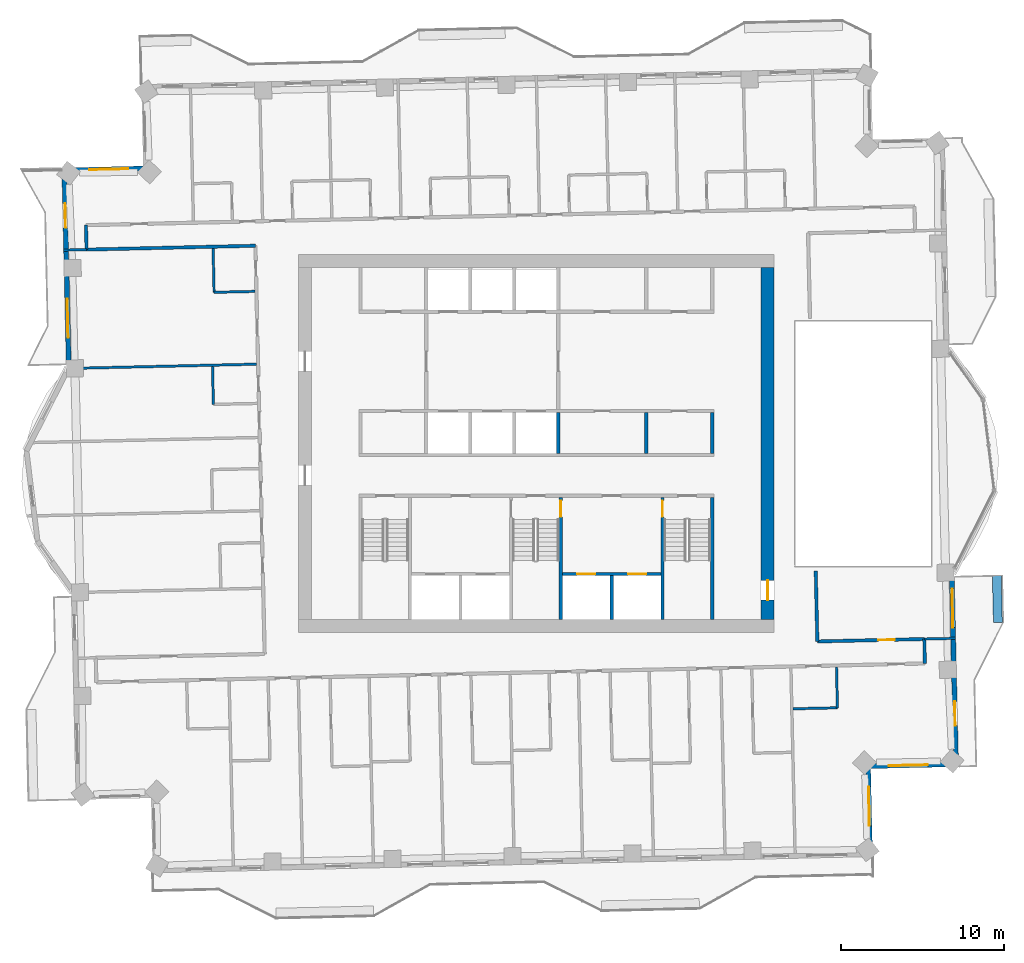
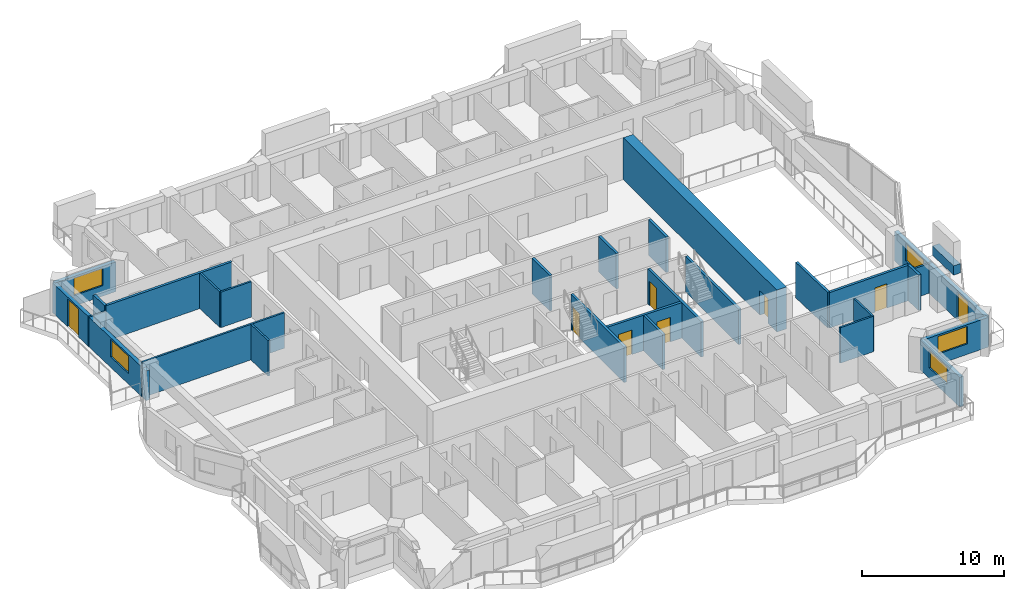
# One storey, part 9 of 17: 28 walls, 8 doors, 5 windows, 13 openings.
"""IFC4 building model written with IfcOpenShell, lengths in metres."""

from ifc_helpers import new_model, si_unit, direction, frame, frame_2d, origin, place, context, subcontext, project, spatial, rectangle, extrude, material, layer, layer_set, type_object, element, fill, save


model = new_model("IFC4")

# Units and contexts
model_context = context("Model", 3, precision=1e-05, world=origin(), true_north=direction((0.0, 1.0)))
body_context = subcontext(model_context, "Body", "Model", "MODEL_VIEW")
ifc_project = project(units=[si_unit("LENGTHUNIT", "METRE"), si_unit("AREAUNIT", "SQUARE_METRE"), si_unit("VOLUMEUNIT", "CUBIC_METRE"), si_unit("PLANEANGLEUNIT", "RADIAN"), si_unit("MASSUNIT", "GRAM", prefix="KILO")], contexts=[model_context])

# Site, building, storey
site_placement = place(None, origin())
site = spatial("IfcSite", under=ifc_project, at=site_placement, CompositionType="ELEMENT")
building_placement = place(site_placement, origin())
building = spatial("IfcBuilding", under=site, at=building_placement, Name="Mangrove Gate Tower", CompositionType="ELEMENT")
storey_placement = place(building_placement, frame((0.0, 0.0, 245.5)))
storey = spatial("IfcBuildingStorey", under=building, at=storey_placement, Name="L62", CompositionType="ELEMENT", Elevation=245.5)

# Walls
ifc_material_1 = material(Name="Concrete C32/40", Category="concrete")
ifc_layer_1 = layer(ifc_material_1, 0.199951171875)
ifc_layer_set_1 = layer_set([ifc_layer_1], Name="Core room wall 200 C32/40")
wall_type_1 = type_object("IfcWallType", Name="Core room wall 200 C32/40", PredefinedType="STANDARD", material=ifc_layer_set_1)
for number, where, z_axis, x_axis, name in (
    (1, (6.75, -0.60009765625, 0.0), (0.0, 0.0, 1.0), (0.0, 1.0, 0.0), "WALL-L62-CORE-24"),
    (2, (10.800048828125, -0.60009765625, 0.0), (0.0, 0.0, 1.0), (0.0, 1.0, 0.0), "WALL-L62-CORE-25"),
):
    element("IfcWall", number, at=place(storey_placement, frame(where, z_axis=z_axis, x_axis=x_axis)), inside=storey, type_object=wall_type_1, Name=name, PredefinedType="STANDARD", context=body_context, shape_type="SweptSolid", body=[
        extrude(rectangle(XDim=2.5, YDim=0.199951171875, at=frame_2d((1.25, 0.0))), origin(), (0.0, 0.0, 1.0), 3.050048828125),
    ])

# Wall, openings, doors
ifc_material_2 = material(Name="Concrete C60/75", Category="concrete")
ifc_layer_2 = layer(ifc_material_2, 0.199951171875)
ifc_layer_set_2 = layer_set([ifc_layer_2], Name="Core shaft wall 200 C60/75")
wall_type_2 = type_object("IfcWallType", Name="Core shaft wall 200 C60/75", PredefinedType="SHEAR", material=ifc_layer_set_2)
wall_1_placement = place(storey_placement, frame((1.60009765625, -8.0, 0.0), z_axis=(0.0, 0.0, 1.0), x_axis=(1.0, 0.0, 0.0)))
wall_1 = element("IfcWall", 3, at=wall_1_placement, inside=storey, type_object=wall_type_2, Name="WALL-L62-CORE-17", PredefinedType="SHEAR", context=body_context, shape_type="SweptSolid", body=[
    extrude(rectangle(XDim=6.0498046875, YDim=0.199951171875, at=frame_2d((3.02490234375, 0.0))), origin(), (0.0, 0.0, 1.0), 3.050048828125),
])
opening_1_placement = place(wall_1_placement, frame((0.91259765625, 0.0, 0.0)))
opening_1 = element("IfcOpeningElement", 4, at=opening_1_placement, cuts=wall_1, Name="Opening LD", PredefinedType="OPENING", context=body_context, shape_type="SweptSolid", body=[
    extrude(rectangle(XDim=1.10009765625, YDim=2.10009765625, at=frame_2d((0.550048828125, 1.050048828125))), frame((0.0, 0.10986328125, 0.0), z_axis=(0.0, -1.0, 0.0), x_axis=(1.0, 0.0, 0.0)), (0.0, 0.0, 1.0), 0.219970703125),
])
opening_2_placement = place(wall_1_placement, frame((4.03759765625, 0.0, 0.0)))
opening_2 = element("IfcOpeningElement", 5, at=opening_2_placement, cuts=wall_1, Name="Opening LD", PredefinedType="OPENING", context=body_context, shape_type="SweptSolid", body=[
    extrude(rectangle(XDim=1.10009765625, YDim=2.10009765625, at=frame_2d((0.550048828125, 1.050048828125))), frame((0.0, 0.10986328125, 0.0), z_axis=(0.0, -1.0, 0.0), x_axis=(1.0, 0.0, 0.0)), (0.0, 0.0, 1.0), 0.219970703125),
])
ifc_material_3 = material(Name="Stainless steel 316", Category="steel")
door_type_1 = type_object("IfcDoorType", Name="Lift landing door 1100x2100", OperationType="SLIDING_TO_LEFT", PredefinedType="DOOR", material=ifc_material_3)
door_1_placement = place(opening_1_placement, origin())
door_1 = element("IfcDoor", 6, at=door_1_placement, inside=storey, type_object=door_type_1, Name="Landing door LD FFL1", OperationType="SLIDING_TO_LEFT", OverallHeight=2.10009765625, OverallWidth=1.10009765625, PredefinedType="DOOR", context=body_context, shape_type="SweptSolid", body=[
    extrude(rectangle(XDim=1.10009765625, YDim=2.10009765625, at=frame_2d((0.550048828125, 1.050048828125))), frame((0.0, 0.02490234375, 0.0), z_axis=(0.0, -1.0, 0.0), x_axis=(1.0, 0.0, 0.0)), (0.0, 0.0, 1.0), 0.050048828125),
])
fill(opening_1, door_1)
door_2_placement = place(opening_2_placement, origin())
door_2 = element("IfcDoor", 7, at=door_2_placement, inside=storey, type_object=door_type_1, Name="Landing door LD FFL2", OperationType="SLIDING_TO_LEFT", OverallHeight=2.10009765625, OverallWidth=1.10009765625, PredefinedType="DOOR", context=body_context, shape_type="SweptSolid", body=[
    extrude(rectangle(XDim=1.10009765625, YDim=2.10009765625, at=frame_2d((0.550048828125, 1.050048828125))), frame((0.0, 0.02490234375, 0.0), z_axis=(0.0, -1.0, 0.0), x_axis=(1.0, 0.0, 0.0)), (0.0, 0.0, 1.0), 0.050048828125),
])
fill(opening_2, door_2)

# Walls
wall_2_placement = place(storey_placement, frame((4.625, -10.800048828125, 0.0), z_axis=(0.0, 0.0, 1.0), x_axis=(0.0, 1.0, 0.0)))
element("IfcWall", 8, at=wall_2_placement, inside=storey, type_object=wall_type_2, Name="WALL-L62-CORE-18", PredefinedType="SHEAR", context=body_context, shape_type="SweptSolid", body=[
    extrude(rectangle(XDim=2.699951171875, YDim=0.199951171875, at=frame_2d((1.35009765625, 0.0))), origin(), (0.0, 0.0, 1.0), 3.050048828125),
])
wall_3_placement = place(storey_placement, frame((1.35009765625, -0.60009765625, 0.0), z_axis=(0.0, 0.0, 1.0), x_axis=(0.0, 1.0, 0.0)))
element("IfcWall", 9, at=wall_3_placement, inside=storey, type_object=wall_type_2, Name="WALL-L62-CORE-23", PredefinedType="SHEAR", context=body_context, shape_type="SweptSolid", body=[
    extrude(rectangle(XDim=2.5, YDim=0.199951171875, at=frame_2d((1.25, 0.0))), origin(), (0.0, 0.0, 1.0), 3.050048828125),
])

# Wall, opening, door
ifc_material_4 = material(Name="Concrete C60/75", Category="concrete")
ifc_layer_3 = layer(ifc_material_4, 0.199951171875)
ifc_layer_set_3 = layer_set([ifc_layer_3], Name="Core stair wall 200 C60/75")
wall_type_3 = type_object("IfcWallType", Name="Core stair wall 200 C60/75", PredefinedType="SHEAR", material=ifc_layer_set_3)
wall_4_placement = place(storey_placement, frame((1.5, -10.800048828125, 0.0), z_axis=(0.0, 0.0, 1.0), x_axis=(0.0, 1.0, 0.0)))
wall_4 = element("IfcWall", 10, at=wall_4_placement, inside=storey, type_object=wall_type_3, Name="WALL-L62-CORE-12", PredefinedType="SHEAR", context=body_context, shape_type="SweptSolid", body=[
    extrude(rectangle(XDim=7.5, YDim=0.199951171875, at=frame_2d((3.75, 0.0))), origin(), (0.0, 0.0, 1.0), 3.050048828125),
])
opening_3_placement = place(wall_4_placement, frame((6.300048828125, 0.0, 0.0)))
opening_3 = element("IfcOpeningElement", 11, at=opening_3_placement, cuts=wall_4, Name="Opening STD10", PredefinedType="OPENING", context=body_context, shape_type="SweptSolid", body=[
    extrude(rectangle(XDim=1.0, YDim=2.10009765625, at=frame_2d((0.5, 1.050048828125))), frame((0.0, 0.10986328125, 0.0), z_axis=(0.0, -1.0, 0.0), x_axis=(1.0, 0.0, 0.0)), (0.0, 0.0, 1.0), 0.219970703125),
])
ifc_material_5 = material(Name="Fire-rated steel door set", Category="steel")
door_type_2 = type_object("IfcDoorType", Name="Stair door FD60 1000x2100", OperationType="SINGLE_SWING_RIGHT", PredefinedType="DOOR", material=ifc_material_5)
door_3_placement = place(opening_3_placement, origin())
door_3 = element("IfcDoor", 12, at=door_3_placement, inside=storey, type_object=door_type_2, Name="Stair door Stair 2 from fire-fighting lobby", OperationType="SINGLE_SWING_RIGHT", OverallHeight=2.10009765625, OverallWidth=1.0, PredefinedType="DOOR", context=body_context, shape_type="SweptSolid", body=[
    extrude(rectangle(XDim=1.0, YDim=2.10009765625, at=frame_2d((0.5, 1.050048828125))), frame((0.0, 0.02490234375, 0.0), z_axis=(0.0, -1.0, 0.0), x_axis=(1.0, 0.0, 0.0)), (0.0, 0.0, 1.0), 0.050048828125),
])
fill(opening_3, door_3)

wall_5_placement = place(storey_placement, frame((7.75, -10.800048828125, 0.0), z_axis=(0.0, 0.0, 1.0), x_axis=(0.0, 1.0, 0.0)))
wall_5 = element("IfcWall", 13, at=wall_5_placement, inside=storey, type_object=wall_type_3, Name="WALL-L62-CORE-13", PredefinedType="SHEAR", context=body_context, shape_type="SweptSolid", body=[
    extrude(rectangle(XDim=7.5, YDim=0.199951171875, at=frame_2d((3.75, 0.0))), origin(), (0.0, 0.0, 1.0), 3.050048828125),
])
opening_4_placement = place(wall_5_placement, frame((6.300048828125, 0.0, 0.0)))
opening_4 = element("IfcOpeningElement", 14, at=opening_4_placement, cuts=wall_5, Name="Opening STD10", PredefinedType="OPENING", context=body_context, shape_type="SweptSolid", body=[
    extrude(rectangle(XDim=1.0, YDim=2.10009765625, at=frame_2d((0.5, 1.050048828125))), frame((0.0, 0.10986328125, 0.0), z_axis=(0.0, -1.0, 0.0), x_axis=(1.0, 0.0, 0.0)), (0.0, 0.0, 1.0), 0.219970703125),
])
door_4_placement = place(opening_4_placement, origin())
door_4 = element("IfcDoor", 15, at=door_4_placement, inside=storey, type_object=door_type_2, Name="Stair door Stair 3 from fire-fighting lobby", OperationType="SINGLE_SWING_RIGHT", OverallHeight=2.10009765625, OverallWidth=1.0, PredefinedType="DOOR", context=body_context, shape_type="SweptSolid", body=[
    extrude(rectangle(XDim=1.0, YDim=2.10009765625, at=frame_2d((0.5, 1.050048828125))), frame((0.0, 0.02490234375, 0.0), z_axis=(0.0, -1.0, 0.0), x_axis=(1.0, 0.0, 0.0)), (0.0, 0.0, 1.0), 0.050048828125),
])
fill(opening_4, door_4)

# Wall
wall_6_placement = place(storey_placement, frame((10.800048828125, -10.800048828125, 0.0), z_axis=(0.0, 0.0, 1.0), x_axis=(0.0, 1.0, 0.0)))
element("IfcWall", 16, at=wall_6_placement, inside=storey, type_object=wall_type_3, Name="WALL-L62-CORE-14", PredefinedType="SHEAR", context=body_context, shape_type="SweptSolid", body=[
    extrude(rectangle(XDim=7.5, YDim=0.199951171875, at=frame_2d((3.75, 0.0))), origin(), (0.0, 0.0, 1.0), 3.050048828125),
])

# Wall, opening, door
ifc_material_6 = material(Name="Concrete C60/75", Category="concrete")
ifc_layer_4 = layer(ifc_material_6, 0.800048828125)
ifc_layer_set_4 = layer_set([ifc_layer_4], Name="Core wall 800 C60/75")
wall_type_4 = type_object("IfcWallType", Name="Core wall 800 C60/75", PredefinedType="SHEAR", material=ifc_layer_set_4)
wall_7_placement = place(storey_placement, frame((14.199951171875, -10.800048828125, 0.0), z_axis=(0.0, 0.0, 1.0), x_axis=(0.0, 1.0, 0.0)))
wall_7 = element("IfcWall", 17, at=wall_7_placement, inside=storey, type_object=wall_type_4, Name="WALL-L62-CORE-4", PredefinedType="SHEAR", context=body_context, shape_type="SweptSolid", body=[
    extrude(rectangle(XDim=21.60009765625, YDim=0.800048828125, at=frame_2d((10.800048828125, 0.0))), origin(), (0.0, 0.0, 1.0), 3.60009765625),
])
opening_5_placement = place(wall_7_placement, frame((1.199951171875, 0.0, 0.0)))
opening_5 = element("IfcOpeningElement", 18, at=opening_5_placement, cuts=wall_7, Name="Opening CD", PredefinedType="OPENING", context=body_context, shape_type="SweptSolid", body=[
    extrude(rectangle(XDim=1.199951171875, YDim=2.10009765625, at=frame_2d((0.60009765625, 1.050048828125))), frame((0.0, 0.409912109375, 0.0), z_axis=(0.0, -1.0, 0.0), x_axis=(1.0, 0.0, 0.0)), (0.0, 0.0, 1.0), 0.820068359375),
])
ifc_material_7 = material(Name="Fire-rated steel door set", Category="steel")
door_type_3 = type_object("IfcDoorType", Name="Core ring door FD60 1200x2100", OperationType="DOUBLE_DOOR_SINGLE_SWING", PredefinedType="DOOR", material=ifc_material_7)
door_5_placement = place(opening_5_placement, origin())
door_5 = element("IfcDoor", 19, at=door_5_placement, inside=storey, type_object=door_type_3, Name="Core ring door E1", OperationType="DOUBLE_DOOR_SINGLE_SWING", OverallHeight=2.10009765625, OverallWidth=1.199951171875, PredefinedType="DOOR", context=body_context, shape_type="SweptSolid", body=[
    extrude(rectangle(XDim=1.199951171875, YDim=2.10009765625, at=frame_2d((0.60009765625, 1.050048828125))), frame((0.0, 0.02490234375, 0.0), z_axis=(0.0, -1.0, 0.0), x_axis=(1.0, 0.0, 0.0)), (0.0, 0.0, 1.0), 0.050048828125),
])
fill(opening_5, door_5)

# Walls
ifc_material_8 = material(Name="Gypsum board on steel stud, EI 60", Category="steel")
ifc_layer_5 = layer(ifc_material_8, 0.199951171875)
ifc_layer_set_5 = layer_set([ifc_layer_5], Name="Corridor wall EI 60")
wall_type_5 = type_object("IfcWallType", Name="Corridor wall EI 60", PredefinedType="PARTITIONING", material=ifc_layer_set_5)
wall_8_placement = place(storey_placement, frame((23.85498046875, -13.5, 0.0), z_axis=(0.0, 0.0, 1.0), x_axis=(-0.022617910375, 0.999744182344, 0.0)))
element("IfcWall", 20, at=wall_8_placement, inside=storey, type_object=wall_type_5, Name="WALL-L62-031", PredefinedType="PARTITIONING", context=body_context, shape_type="SweptSolid", body=[
    extrude(rectangle(XDim=1.50048828125, YDim=0.199951171875, at=frame_2d((0.750244140625, 0.0))), origin(), (0.0, 0.0, 1.0), 3.050048828125),
])
wall_9_placement = place(storey_placement, frame((17.2529296875, -12.14892578125, 0.0), z_axis=(0.0, 0.0, 1.0), x_axis=(-0.022578158225, 0.999745080894, 0.0)))
element("IfcWall", 21, at=wall_9_placement, inside=storey, type_object=wall_type_5, Name="WALL-L62-034", PredefinedType="PARTITIONING", context=body_context, shape_type="SweptSolid", body=[
    extrude(rectangle(XDim=4.336181640625, YDim=0.199951171875, at=frame_2d((2.16796875, 0.0))), origin(), (0.0, 0.0, 1.0), 3.050048828125),
])

# Wall, opening, door
wall_10_placement = place(storey_placement, frame((17.248046875, -12.14501953125, 0.0), z_axis=(0.0, 0.0, 1.0), x_axis=(0.999743348025, 0.022654758434, 0.0)))
wall_10 = element("IfcWall", 22, at=wall_10_placement, inside=storey, type_object=wall_type_5, Name="WALL-L62-037", PredefinedType="PARTITIONING", context=body_context, shape_type="SweptSolid", body=[
    extrude(rectangle(XDim=6.57373046875, YDim=0.199951171875, at=frame_2d((3.286865234375, 0.0))), origin(), (0.0, 0.0, 1.0), 3.050048828125),
])
opening_6_placement = place(wall_10_placement, frame((3.75, 0.0, 0.0)))
opening_6 = element("IfcOpeningElement", 23, at=opening_6_placement, cuts=wall_10, Name="Opening AD", PredefinedType="OPENING", context=body_context, shape_type="SweptSolid", body=[
    extrude(rectangle(XDim=1.0, YDim=2.10009765625, at=frame_2d((0.5, 1.050048828125))), frame((0.0, 0.10986328125, 0.0), z_axis=(0.0, -1.0, 0.0), x_axis=(1.0, 0.0, 0.0)), (0.0, 0.0, 1.0), 0.219970703125),
])
ifc_material_9 = material(Name="Timber door leaf", Category="wood")
door_type_4 = type_object("IfcDoorType", Name="Amenity door 1000", OperationType="SINGLE_SWING_LEFT", PredefinedType="DOOR", material=ifc_material_9)
door_6_placement = place(opening_6_placement, origin())
door_6 = element("IfcDoor", 24, at=door_6_placement, inside=storey, type_object=door_type_4, Name="DOOR-L62-KIT-c3b", OperationType="SINGLE_SWING_LEFT", OverallHeight=2.10009765625, OverallWidth=1.0, PredefinedType="DOOR", context=body_context, shape_type="SweptSolid", body=[
    extrude(rectangle(XDim=1.0, YDim=2.10009765625, at=frame_2d((0.5, 1.050048828125))), frame((0.0, 0.02490234375, 0.0), z_axis=(0.0, -1.0, 0.0), x_axis=(1.0, 0.0, 0.0)), (0.0, 0.0, 1.0), 0.050048828125),
])
fill(opening_6, door_6)

# Walls
wall_11_placement = place(storey_placement, frame((-27.617919921875, 11.9130859375, 0.0), z_axis=(0.0, 0.0, 1.0), x_axis=(0.999741483035, 0.022736910479, 0.0)))
element("IfcWall", 25, at=wall_11_placement, inside=storey, type_object=wall_type_5, Name="WALL-L62-053", PredefinedType="PARTITIONING", context=body_context, shape_type="SweptSolid", body=[
    extrude(rectangle(XDim=10.37255859375, YDim=0.199951171875, at=frame_2d((5.186279296875, 0.0))), origin(), (0.0, 0.0, 1.0), 3.050048828125),
])
wall_12_placement = place(storey_placement, frame((-27.614013671875, 11.9130859375, 0.0), z_axis=(0.0, 0.0, 1.0), x_axis=(-0.022617910375, 0.999744182344, 0.0)))
element("IfcWall", 26, at=wall_12_placement, inside=storey, type_object=wall_type_5, Name="WALL-L62-054", PredefinedType="PARTITIONING", context=body_context, shape_type="SweptSolid", body=[
    extrude(rectangle(XDim=1.50048828125, YDim=0.199951171875, at=frame_2d((0.750244140625, 0.0))), origin(), (0.0, 0.0, 1.0), 3.050048828125),
])

# Wall, openings, door, window
ifc_material_10 = material(Name="Limestone", Category="masonry")
ifc_layer_6 = layer(ifc_material_10, 0.0400390625, Name="Limestone cladding")
ifc_material_11 = material(Name="Ventilated air gap")
ifc_layer_7 = layer(ifc_material_11, 0.0400390625, Name="Ventilated cavity")
ifc_material_12 = material(Name="Mineral wool insulation")
ifc_layer_8 = layer(ifc_material_12, 0.06005859375, Name="Insulation")
ifc_material_13 = material(Name="Breather membrane")
ifc_layer_9 = layer(ifc_material_13, 0.001953125, Name="Breather membrane")
ifc_material_14 = material(Name="Concrete C20/25 blockwork", Category="masonry")
ifc_layer_10 = layer(ifc_material_14, 0.14990234375, Name="Blockwork backing wall")
ifc_material_15 = material(Name="Gypsum plaster")
ifc_layer_11 = layer(ifc_material_15, 0.008056640625, Name="Internal plaster")
ifc_layer_set_6 = layer_set([ifc_layer_6, ifc_layer_7, ifc_layer_8, ifc_layer_9, ifc_layer_10, ifc_layer_11], Name="External wall 300 limestone cladding")
wall_type_6 = type_object("IfcWallType", Name="External wall 300 limestone cladding", PredefinedType="SOLIDWALL", material=ifc_layer_set_6)
wall_13_placement = place(storey_placement, frame((25.77001953125, -19.68408203125, 0.0), z_axis=(0.0, 0.0, 1.0), x_axis=(-0.022688489476, 0.999742583091, 0.0)))
wall_13 = element("IfcWall", 27, at=wall_13_placement, inside=storey, type_object=wall_type_6, Name="WALL-L62-E0s1", PredefinedType="SOLIDWALL", context=body_context, shape_type="SweptSolid", body=[
    extrude(rectangle(XDim=12.29931640625, YDim=0.300048828125, at=frame_2d((6.149658203125, 0.0))), origin(), (0.0, 0.0, 1.0), 2.550048828125),
])
opening_7_placement = place(wall_13_placement, frame((2.365966796875, 0.0, 0.0)))
opening_7 = element("IfcOpeningElement", 28, at=opening_7_placement, cuts=wall_13, Name="Opening BD1", PredefinedType="OPENING", context=body_context, shape_type="SweptSolid", body=[
    extrude(rectangle(XDim=1.5, YDim=2.39990234375, at=frame_2d((0.75, 1.199951171875))), frame((0.0, 0.159912109375, 0.0), z_axis=(0.0, -1.0, 0.0), x_axis=(1.0, 0.0, 0.0)), (0.0, 0.0, 1.0), 0.320068359375),
])
opening_8_placement = place(wall_13_placement, frame((8.387939453125, 0.0, 0.89990234375)))
opening_8 = element("IfcOpeningElement", 29, at=opening_8_placement, cuts=wall_13, Name="Opening W2", PredefinedType="OPENING", context=body_context, shape_type="SweptSolid", body=[
    extrude(rectangle(XDim=2.39990234375, YDim=1.5, at=frame_2d((1.199951171875, 0.75))), frame((0.0, 0.159912109375, 0.0), z_axis=(0.0, -1.0, 0.0), x_axis=(1.0, 0.0, 0.0)), (0.0, 0.0, 1.0), 0.320068359375),
])
ifc_material_16 = material(Name="Aluminium frame with laminated clear glass", Category="aluminium")
door_type_5 = type_object("IfcDoorType", Name="Balcony sliding door 1500x2400", OperationType="SLIDING_TO_LEFT", PredefinedType="DOOR", material=ifc_material_16)
door_7_placement = place(opening_7_placement, origin())
door_7 = element("IfcDoor", 30, at=door_7_placement, inside=storey, type_object=door_type_5, Name="DOOR-L62-E0-1", OperationType="SLIDING_TO_LEFT", OverallHeight=2.39990234375, OverallWidth=1.5, PredefinedType="DOOR", context=body_context, shape_type="SweptSolid", body=[
    extrude(rectangle(XDim=1.5, YDim=2.39990234375, at=frame_2d((0.75, 1.199951171875))), frame((0.0, 0.02490234375, 0.0), z_axis=(0.0, -1.0, 0.0), x_axis=(1.0, 0.0, 0.0)), (0.0, 0.0, 1.0), 0.050048828125),
])
fill(opening_7, door_7)
ifc_material_17 = material(Name="Aluminium frame with double-glazed low-e glass", Category="aluminium")
window_type = type_object("IfcWindowType", Name="Corner room window 2400x1500", PartitioningType="DOUBLE_PANEL_VERTICAL", PredefinedType="WINDOW", material=ifc_material_17)
window_1_placement = place(opening_8_placement, origin())
window_1 = element("IfcWindow", 31, at=window_1_placement, inside=storey, type_object=window_type, Name="WIN-L62-E0-2", OverallHeight=1.5, OverallWidth=2.39990234375, PartitioningType="DOUBLE_PANEL_VERTICAL", PredefinedType="WINDOW", context=body_context, shape_type="SweptSolid", body=[
    extrude(rectangle(XDim=2.39990234375, YDim=1.5, at=frame_2d((1.199951171875, 0.75))), frame((0.0, 0.030029296875, 0.0), z_axis=(0.0, -1.0, 0.0), x_axis=(1.0, 0.0, 0.0)), (0.0, 0.0, 1.0), 0.06005859375),
])
fill(opening_8, window_1)

# Wall, opening, window
wall_14_placement = place(storey_placement, frame((-23.98095703125, 16.89697265625, 0.0), z_axis=(0.0, 0.0, 1.0), x_axis=(-0.999744350543, -0.022610474516, 0.0)))
wall_14 = element("IfcWall", 32, at=wall_14_placement, inside=storey, type_object=wall_type_6, Name="WALL-L62-N7", PredefinedType="SOLIDWALL", context=body_context, shape_type="SweptSolid", body=[
    extrude(rectangle(XDim=4.999267578125, YDim=0.300048828125, at=frame_2d((2.49951171875, 0.0))), origin(), (0.0, 0.0, 1.0), 2.550048828125),
])
opening_9_placement = place(wall_14_placement, frame((1.06298828125, 0.0, 0.89990234375)))
opening_9 = element("IfcOpeningElement", 33, at=opening_9_placement, cuts=wall_14, Name="Opening W2", PredefinedType="OPENING", context=body_context, shape_type="SweptSolid", body=[
    extrude(rectangle(XDim=2.39990234375, YDim=1.5, at=frame_2d((1.199951171875, 0.75))), frame((0.0, 0.159912109375, 0.0), z_axis=(0.0, -1.0, 0.0), x_axis=(1.0, 0.0, 0.0)), (0.0, 0.0, 1.0), 0.320068359375),
])
window_2_placement = place(opening_9_placement, origin())
window_2 = element("IfcWindow", 34, at=window_2_placement, inside=storey, type_object=window_type, Name="WIN-L62-N7-1", OverallHeight=1.5, OverallWidth=2.39990234375, PartitioningType="DOUBLE_PANEL_VERTICAL", PredefinedType="WINDOW", context=body_context, shape_type="SweptSolid", body=[
    extrude(rectangle(XDim=2.39990234375, YDim=1.5, at=frame_2d((1.199951171875, 0.75))), frame((0.0, 0.030029296875, 0.0), z_axis=(0.0, -1.0, 0.0), x_axis=(1.0, 0.0, 0.0)), (0.0, 0.0, 1.0), 0.06005859375),
])
fill(opening_9, window_2)

# Wall, openings, door, window
wall_15_placement = place(storey_placement, frame((-28.97900390625, 16.783935546875, 0.0), z_axis=(0.0, 0.0, 1.0), x_axis=(0.022685159264, -0.999742658662, 0.0)))
wall_15 = element("IfcWall", 35, at=wall_15_placement, inside=storey, type_object=wall_type_6, Name="WALL-L62-W8s1", PredefinedType="SOLIDWALL", context=body_context, shape_type="SweptSolid", body=[
    extrude(rectangle(XDim=12.69921875, YDim=0.300048828125, at=frame_2d((6.349609375, 0.0))), origin(), (0.0, 0.0, 1.0), 2.550048828125),
])
opening_10_placement = place(wall_15_placement, frame((2.034912109375, 0.0, 0.0)))
opening_10 = element("IfcOpeningElement", 36, at=opening_10_placement, cuts=wall_15, Name="Opening BD1", PredefinedType="OPENING", context=body_context, shape_type="SweptSolid", body=[
    extrude(rectangle(XDim=1.5, YDim=2.39990234375, at=frame_2d((0.75, 1.199951171875))), frame((0.0, 0.159912109375, 0.0), z_axis=(0.0, -1.0, 0.0), x_axis=(1.0, 0.0, 0.0)), (0.0, 0.0, 1.0), 0.320068359375),
])
opening_11_placement = place(wall_15_placement, frame((7.89404296875, 0.0, 0.89990234375)))
opening_11 = element("IfcOpeningElement", 37, at=opening_11_placement, cuts=wall_15, Name="Opening W2", PredefinedType="OPENING", context=body_context, shape_type="SweptSolid", body=[
    extrude(rectangle(XDim=2.39990234375, YDim=1.5, at=frame_2d((1.199951171875, 0.75))), frame((0.0, 0.159912109375, 0.0), z_axis=(0.0, -1.0, 0.0), x_axis=(1.0, 0.0, 0.0)), (0.0, 0.0, 1.0), 0.320068359375),
])
door_8_placement = place(opening_10_placement, origin())
door_8 = element("IfcDoor", 38, at=door_8_placement, inside=storey, type_object=door_type_5, Name="DOOR-L62-W8-1", OperationType="SLIDING_TO_LEFT", OverallHeight=2.39990234375, OverallWidth=1.5, PredefinedType="DOOR", context=body_context, shape_type="SweptSolid", body=[
    extrude(rectangle(XDim=1.5, YDim=2.39990234375, at=frame_2d((0.75, 1.199951171875))), frame((0.0, 0.02490234375, 0.0), z_axis=(0.0, -1.0, 0.0), x_axis=(1.0, 0.0, 0.0)), (0.0, 0.0, 1.0), 0.050048828125),
])
fill(opening_10, door_8)
window_3_placement = place(opening_11_placement, origin())
window_3 = element("IfcWindow", 39, at=window_3_placement, inside=storey, type_object=window_type, Name="WIN-L62-W8-2", OverallHeight=1.5, OverallWidth=2.39990234375, PartitioningType="DOUBLE_PANEL_VERTICAL", PredefinedType="WINDOW", context=body_context, shape_type="SweptSolid", body=[
    extrude(rectangle(XDim=2.39990234375, YDim=1.5, at=frame_2d((1.199951171875, 0.75))), frame((0.0, 0.030029296875, 0.0), z_axis=(0.0, -1.0, 0.0), x_axis=(1.0, 0.0, 0.0)), (0.0, 0.0, 1.0), 0.06005859375),
])
fill(opening_11, window_3)

# Wall, opening, window
wall_16_placement = place(storey_placement, frame((20.493896484375, -25.205078125, 0.0), z_axis=(0.0, 0.0, 1.0), x_axis=(-0.022558128916, 0.999745533033, 0.0)))
wall_16 = element("IfcWall", 40, at=wall_16_placement, inside=storey, type_object=wall_type_6, Name="WALL-L62-E14", PredefinedType="SOLIDWALL", context=body_context, shape_type="SweptSolid", body=[
    extrude(rectangle(XDim=5.400634765625, YDim=0.300048828125, at=frame_2d((2.7001953125, 0.0))), origin(), (0.0, 0.0, 1.0), 2.550048828125),
])
opening_12_placement = place(wall_16_placement, frame((1.742919921875, 0.0, 0.89990234375)))
opening_12 = element("IfcOpeningElement", 41, at=opening_12_placement, cuts=wall_16, Name="Opening W2", PredefinedType="OPENING", context=body_context, shape_type="SweptSolid", body=[
    extrude(rectangle(XDim=2.39990234375, YDim=1.5, at=frame_2d((1.199951171875, 0.75))), frame((0.0, 0.159912109375, 0.0), z_axis=(0.0, -1.0, 0.0), x_axis=(1.0, 0.0, 0.0)), (0.0, 0.0, 1.0), 0.320068359375),
])
window_4_placement = place(opening_12_placement, origin())
window_4 = element("IfcWindow", 42, at=window_4_placement, inside=storey, type_object=window_type, Name="WIN-L62-E14-1", OverallHeight=1.5, OverallWidth=2.39990234375, PartitioningType="DOUBLE_PANEL_VERTICAL", PredefinedType="WINDOW", context=body_context, shape_type="SweptSolid", body=[
    extrude(rectangle(XDim=2.39990234375, YDim=1.5, at=frame_2d((1.199951171875, 0.75))), frame((0.0, 0.030029296875, 0.0), z_axis=(0.0, -1.0, 0.0), x_axis=(1.0, 0.0, 0.0)), (0.0, 0.0, 1.0), 0.06005859375),
])
fill(opening_12, window_4)

wall_17_placement = place(storey_placement, frame((20.3720703125, -19.805908203125, 0.0), z_axis=(0.0, 0.0, 1.0), x_axis=(0.999745417973, 0.02256322766, 0.0)))
wall_17 = element("IfcWall", 43, at=wall_17_placement, inside=storey, type_object=wall_type_6, Name="WALL-L62-S15", PredefinedType="SOLIDWALL", context=body_context, shape_type="SweptSolid", body=[
    extrude(rectangle(XDim=5.3994140625, YDim=0.300048828125, at=frame_2d((2.69970703125, 0.0))), origin(), (0.0, 0.0, 1.0), 2.550048828125),
])
opening_13_placement = place(wall_17_placement, frame((1.27099609375, 0.0, 0.89990234375)))
opening_13 = element("IfcOpeningElement", 44, at=opening_13_placement, cuts=wall_17, Name="Opening W2", PredefinedType="OPENING", context=body_context, shape_type="SweptSolid", body=[
    extrude(rectangle(XDim=2.39990234375, YDim=1.5, at=frame_2d((1.199951171875, 0.75))), frame((0.0, 0.159912109375, 0.0), z_axis=(0.0, -1.0, 0.0), x_axis=(1.0, 0.0, 0.0)), (0.0, 0.0, 1.0), 0.320068359375),
])
window_5_placement = place(opening_13_placement, origin())
window_5 = element("IfcWindow", 45, at=window_5_placement, inside=storey, type_object=window_type, Name="WIN-L62-S15-1", OverallHeight=1.5, OverallWidth=2.39990234375, PartitioningType="DOUBLE_PANEL_VERTICAL", PredefinedType="WINDOW", context=body_context, shape_type="SweptSolid", body=[
    extrude(rectangle(XDim=2.39990234375, YDim=1.5, at=frame_2d((1.199951171875, 0.75))), frame((0.0, 0.030029296875, 0.0), z_axis=(0.0, -1.0, 0.0), x_axis=(1.0, 0.0, 0.0)), (0.0, 0.0, 1.0), 0.06005859375),
])
fill(opening_13, window_5)

# Walls
ifc_material_18 = material(Name="Gypsum board on steel stud, EI 60", Category="steel")
ifc_layer_12 = layer(ifc_material_18, 0.14990234375)
ifc_layer_set_7 = layer_set([ifc_layer_12], Name="Party wall 150 EI 60")
wall_type_7 = type_object("IfcWallType", Name="Party wall 150 EI 60", PredefinedType="PARTITIONING", material=ifc_layer_set_7)
wall_18_placement = place(storey_placement, frame((18.486083984375, -16.221923828125, 0.0), z_axis=(0.0, 0.0, 1.0), x_axis=(-0.022854521249, 0.999738801317, 0.0)))
element("IfcWall", 46, at=wall_18_placement, inside=storey, type_object=wall_type_7, Name="WALL-L62-028", PredefinedType="PARTITIONING", context=body_context, shape_type="SweptSolid", body=[
    extrude(rectangle(XDim=2.499755859375, YDim=0.14990234375, at=frame_2d((1.25, 0.0))), origin(), (0.0, 0.0, 1.0), 3.050048828125),
])
wall_19_placement = place(storey_placement, frame((15.757080078125, -16.280029296875, 0.0), z_axis=(0.0, 0.0, 1.0), x_axis=(0.99974114142, 0.022751926344, 0.0)))
element("IfcWall", 47, at=wall_19_placement, inside=storey, type_object=wall_type_7, Name="WALL-L62-029", PredefinedType="PARTITIONING", context=body_context, shape_type="SweptSolid", body=[
    extrude(rectangle(XDim=2.7255859375, YDim=0.14990234375, at=frame_2d((1.36279296875, 0.0))), origin(), (0.0, 0.0, 1.0), 3.050048828125),
])
wall_20_placement = place(storey_placement, frame((23.820068359375, -11.99609375, 0.0), z_axis=(0.0, 0.0, 1.0), x_axis=(0.999736638572, 0.02294893235, 0.0)))
element("IfcWall", 48, at=wall_20_placement, inside=storey, type_object=wall_type_7, Name="WALL-L62-038", PredefinedType="PARTITIONING", context=body_context, shape_type="SweptSolid", body=[
    extrude(rectangle(XDim=1.925537109375, YDim=0.14990234375, at=frame_2d((0.962890625, 0.0))), origin(), (0.0, 0.0, 1.0), 2.550048828125),
])
wall_21_placement = place(storey_placement, frame((-19.826904296875, 2.4130859375, 0.0), z_axis=(0.0, 0.0, 1.0), x_axis=(-0.02279059109, 0.999740260747, 0.0)))
element("IfcWall", 49, at=wall_21_placement, inside=storey, type_object=wall_type_7, Name="WALL-L62-047", PredefinedType="PARTITIONING", context=body_context, shape_type="SweptSolid", body=[
    extrude(rectangle(XDim=2.324462890625, YDim=0.14990234375, at=frame_2d((1.162109375, 0.0))), origin(), (0.0, 0.0, 1.0), 3.050048828125),
])
wall_22_placement = place(storey_placement, frame((-28.85302734375, 4.613037109375, 0.0), z_axis=(0.0, 0.0, 1.0), x_axis=(0.999742483, 0.022692899457, 0.0)))
element("IfcWall", 50, at=wall_22_placement, inside=storey, type_object=wall_type_7, Name="WALL-L62-048", PredefinedType="PARTITIONING", context=body_context, shape_type="SweptSolid", body=[
    extrude(rectangle(XDim=11.6728515625, YDim=0.14990234375, at=frame_2d((5.83642578125, 0.0))), origin(), (0.0, 0.0, 1.0), 3.050048828125),
])
wall_23_placement = place(storey_placement, frame((-19.783935546875, 9.2900390625, 0.0), z_axis=(0.0, 0.0, 1.0), x_axis=(0.999741028149, 0.022756903044, 0.0)))
element("IfcWall", 51, at=wall_23_placement, inside=storey, type_object=wall_type_7, Name="WALL-L62-050", PredefinedType="PARTITIONING", context=body_context, shape_type="SweptSolid", body=[
    extrude(rectangle(XDim=2.499755859375, YDim=0.14990234375, at=frame_2d((1.25, 0.0))), origin(), (0.0, 0.0, 1.0), 3.050048828125),
])
wall_24_placement = place(storey_placement, frame((-19.782958984375, 9.2900390625, 0.0), z_axis=(0.0, 0.0, 1.0), x_axis=(-0.022600248254, 0.99974458177, 0.0)))
element("IfcWall", 52, at=wall_24_placement, inside=storey, type_object=wall_type_7, Name="WALL-L62-051", PredefinedType="PARTITIONING", context=body_context, shape_type="SweptSolid", body=[
    extrude(rectangle(XDim=2.70068359375, YDim=0.14990234375, at=frame_2d((1.350341796875, 0.0))), origin(), (0.0, 0.0, 1.0), 3.050048828125),
])
wall_25_placement = place(storey_placement, frame((-29.01806640625, 11.881103515625, 0.0), z_axis=(0.0, 0.0, 1.0), x_axis=(0.999740667531, 0.022772739949, 0.0)))
element("IfcWall", 53, at=wall_25_placement, inside=storey, type_object=wall_type_7, Name="WALL-L62-052", PredefinedType="PARTITIONING", context=body_context, shape_type="SweptSolid", body=[
    extrude(rectangle(XDim=1.404296875, YDim=0.14990234375, at=frame_2d((0.7021484375, 0.0))), origin(), (0.0, 0.0, 1.0), 2.550048828125),
])
ifc_material_19 = material(Name="Concrete C32/40", Category="concrete")
ifc_layer_13 = layer(ifc_material_19, 0.199951171875, Name="Planter trough wall")
ifc_material_20 = material(Name="Bituminous waterproofing membrane")
ifc_layer_14 = layer(ifc_material_20, 0.0048828125, Name="Waterproofing")
ifc_material_21 = material(Name="Drainage board and gravel")
ifc_layer_15 = layer(ifc_material_21, 0.044921875, Name="Drainage layer")
ifc_material_22 = material(Name="Planting soil")
ifc_layer_16 = layer(ifc_material_22, 0.300048828125, Name="Growing medium")
ifc_layer_set_8 = layer_set([ifc_layer_13, ifc_layer_14, ifc_layer_15, ifc_layer_16], Name="Planter wall 550 C32/40")
wall_type_8 = type_object("IfcWallType", Name="Planter wall 550 C32/40", PredefinedType="USERDEFINED", material=ifc_layer_set_8)
wall_26_placement = place(storey_placement, frame((28.337890625, -10.972900390625, 0.0), z_axis=(0.0, 0.0, 1.0), x_axis=(-0.02259214234, 0.99974476498, 0.0)))
element("IfcWall", 54, at=wall_26_placement, inside=storey, type_object=wall_type_8, Name="PLANTER L62 E0.1", ObjectType="PLANTER", PredefinedType="USERDEFINED", context=body_context, shape_type="SweptSolid", body=[
    extrude(rectangle(XDim=2.87451171875, YDim=0.550048828125, at=frame_2d((1.437255859375, 0.0))), origin(), (0.0, 0.0, 1.0), 0.800048828125),
])

save(model, "model.ifc")
